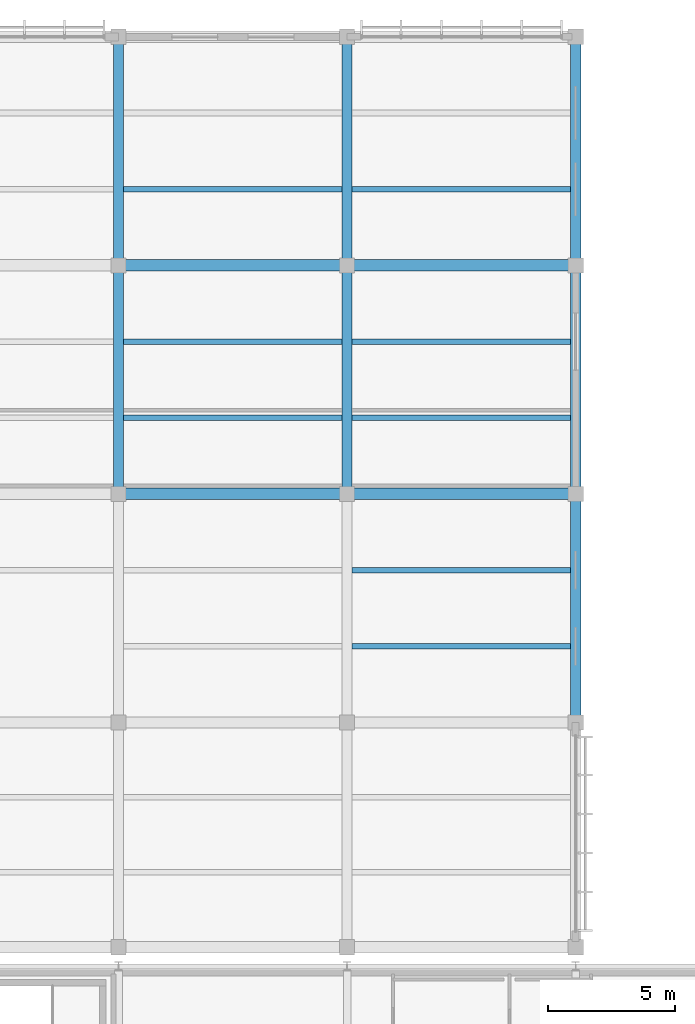
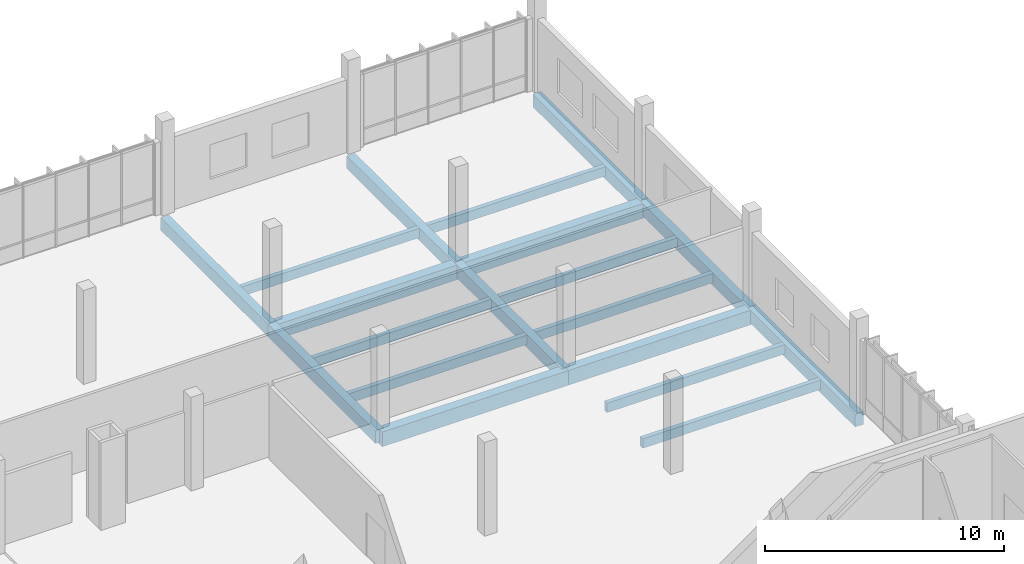
# One storey, part 116 of 177: 19 beams.
"""IFC4 building model written with IfcOpenShell, lengths in metres."""

import ifcopenshell
import ifcopenshell.guid

model = None  # the IFC model being written
_history = None  # IfcOwnerHistory: only IFC2X3 demands one
_inside = {}  # id of a spatial element -> (the spatial element, [elements in it])
_under = {}  # id of a project, library or spatial element -> (it, [spatial elements below it])
_declared = {}  # id of a project -> (the project, [libraries it declares])
_typed = {}  # id of a type object -> (the type object, [elements of that type])
_made_of = {}  # id of a material, layer set ... -> (it, [elements and type objects made of it])


def new_model(schema):
    """Start an empty IFC model of exactly this schema.

    Asked for "IFC4X3", IfcOpenShell would pick the latest addendum, in which some entities
    have other attributes; the version numbers below select the first issue.
    IFC2X3 requires an IfcOwnerHistory on every rooted entity: one is made here for all.
    """
    global model, _history
    if schema == "IFC4X3":
        model = ifcopenshell.file(schema_version=(4, 3, 0, 0))
    else:
        model = ifcopenshell.file(schema=schema)
    _inside.clear()
    _under.clear()
    _declared.clear()
    _typed.clear()
    _made_of.clear()
    _history = None
    if model.schema == "IFC2X3":
        org = make("IfcOrganization", Name="unknown")
        user = make(
            "IfcPersonAndOrganization",
            ThePerson=make("IfcPerson", FamilyName="unknown"),
            TheOrganization=org,
        )
        app = make(
            "IfcApplication",
            ApplicationDeveloper=org,
            Version="unknown",
            ApplicationFullName="unknown",
            ApplicationIdentifier="unknown",
        )
        _history = make(
            "IfcOwnerHistory",
            OwningUser=user,
            OwningApplication=app,
            ChangeAction="ADDED",
            CreationDate=0,
        )
    return model


def make(cls, **values):
    """One entity of the class cls with the attributes given. An attribute that is None is left unset."""
    return model.create_entity(
        cls, **{name: value for name, value in values.items() if value is not None}
    )


def rooted(cls, **values):
    """An entity with a GlobalId (a new one), such as an element, a storey or a relation."""
    return make(cls, GlobalId=ifcopenshell.guid.new(), OwnerHistory=_history, **values)


def si_unit(unit_type, name, prefix=None):
    """IfcSIUnit, for example si_unit("LENGTHUNIT", "METRE", prefix="MILLI")."""
    return make("IfcSIUnit", UnitType=unit_type, Prefix=prefix, Name=name)


def assignment(units):
    """IfcUnitAssignment: the units of a project."""
    return None if units is None else make("IfcUnitAssignment", Units=units)


def point(xyz):
    """IfcCartesianPoint."""
    return None if xyz is None else make("IfcCartesianPoint", Coordinates=xyz)


def direction(xyz):
    """IfcDirection."""
    return None if xyz is None else make("IfcDirection", DirectionRatios=xyz)


def frame(location, z_axis=None, x_axis=None):
    """IfcAxis2Placement3D, a coordinate frame: its origin and axes. An axis left out is left unset."""
    return make(
        "IfcAxis2Placement3D",
        Location=point(location),
        Axis=direction(z_axis),
        RefDirection=direction(x_axis),
    )


def frame_2d(location, x_axis=None):
    """IfcAxis2Placement2D, a coordinate frame in the plane: its origin and x axis."""
    return make(
        "IfcAxis2Placement2D", Location=point(location), RefDirection=direction(x_axis)
    )


def origin():
    """The frame at (0, 0, 0) with its axes left unset."""
    return frame((0.0, 0.0, 0.0))


def origin_2d():
    """The frame at (0, 0) in the plane with its x axis left unset."""
    return frame_2d((0.0, 0.0))


def place(relative_to, where):
    """IfcLocalPlacement: puts the frame where relative to a parent placement (None: the world)."""
    return make(
        "IfcLocalPlacement", PlacementRelTo=relative_to, RelativePlacement=where
    )


def context(
    kind, dimensions, precision=None, world=None, true_north=None, identifier=None
):
    """IfcGeometricRepresentationContext, for example the 3D "Model" context."""
    return make(
        "IfcGeometricRepresentationContext",
        ContextIdentifier=identifier,
        ContextType=kind,
        CoordinateSpaceDimension=dimensions,
        Precision=precision,
        WorldCoordinateSystem=world,
        TrueNorth=true_north,
    )


def subcontext(parent, identifier, kind, view, scale=None):
    """IfcGeometricRepresentationSubContext, for example "Body" below "Model"."""
    return make(
        "IfcGeometricRepresentationSubContext",
        ContextIdentifier=identifier,
        ContextType=kind,
        ParentContext=parent,
        TargetScale=scale,
        TargetView=view,
    )


def project(units=None, contexts=None):
    """IfcProject with its units and contexts."""
    return rooted(
        "IfcProject",
        Name="project",
        RepresentationContexts=contexts,
        UnitsInContext=assignment(units),
    )


def spatial(cls, under=None, at=None, **own):
    """A site, building, storey or space (cls), placed at a placement, below another one or the project."""
    s = rooted(cls, ObjectPlacement=at, **own)
    if under is not None:
        _under.setdefault(under.id(), (under, []))[1].append(s)
    return s


def profile(cls, at=None, kind="AREA", **sizes):
    """A parametric profile (cls). Its sizes go by their IFC names, for example OverallWidth=200.0."""
    return make(cls, ProfileType=kind, Position=at, **sizes)


def rectangle(**sizes):
    """IfcRectangleProfileDef."""
    return profile("IfcRectangleProfileDef", **sizes)


def extrude(swept, where, along, depth):
    """IfcExtrudedAreaSolid: the profile swept, set in the frame where, extruded along a direction by depth."""
    return make(
        "IfcExtrudedAreaSolid",
        SweptArea=swept,
        Position=where,
        ExtrudedDirection=direction(along),
        Depth=depth,
    )


def shape(context_of_items, identifier, shape_type, items):
    """IfcShapeRepresentation: the items that make up one representation, for example the "Body"."""
    return make(
        "IfcShapeRepresentation",
        ContextOfItems=context_of_items,
        RepresentationIdentifier=identifier,
        RepresentationType=shape_type,
        Items=items,
    )


def material(Name=None, Category=None):
    """IfcMaterial."""
    return make("IfcMaterial", Name=Name, Category=Category)


def material_profile(
    of_material, cross_section, Name=None, Category=None, Priority=None
):
    """IfcMaterialProfile: a cross section and its material."""
    return make(
        "IfcMaterialProfile",
        Name=Name,
        Material=of_material,
        Profile=cross_section,
        Priority=Priority,
        Category=Category,
    )


def profile_set(profiles, Name=None, composite=None):
    """IfcMaterialProfileSet."""
    return make(
        "IfcMaterialProfileSet",
        Name=Name,
        MaterialProfiles=profiles,
        CompositeProfile=composite,
    )


def made_of(thing, what):
    """Note that an element or type object is made of a material, layer set ...; save() writes the relation."""
    if what is not None:
        _made_of.setdefault(what.id(), (what, []))[1].append(thing)
    return thing


def type_object(cls, material=None, **own):
    """A type object (cls), such as IfcWallType, which elements share."""
    return made_of(rooted(cls, **own), material)


def element(
    cls,
    number,
    at=None,
    inside=None,
    cuts=None,
    type_object=None,
    material=None,
    context=None,
    identifier="Body",
    shape_type=None,
    held_by="IfcProductDefinitionShape",
    body=None,
    shapes=None,
    **own,
):
    """One element of the class cls, such as IfcWall. Its Tag is "e" and its number.

    at: its placement. inside: the storey or other place that contains it. cuts: it is an
    opening in that element (IfcRelVoidsElement). A single representation is given by context,
    identifier, shape_type and body (its items); several are given by shapes. held_by: the class
    of the entity that holds the representations. save() writes the other relations.
    """
    e = rooted(cls, Tag="e%d" % number, ObjectPlacement=at, **own)
    if body is not None:
        shapes = [shape(context, identifier, shape_type, body)]
    if shapes is not None:
        e.Representation = make(held_by, Representations=shapes)
    if inside is not None:
        _inside.setdefault(inside.id(), (inside, []))[1].append(e)
    if cuts is not None:
        rooted(
            "IfcRelVoidsElement", RelatingBuildingElement=cuts, RelatedOpeningElement=e
        )
    if type_object is not None:
        _typed.setdefault(type_object.id(), (type_object, []))[1].append(e)
    return made_of(e, material)


def aggregate(whole, parts):
    """IfcRelAggregates: a whole, such as a stair, and the parts it consists of."""
    return rooted("IfcRelAggregates", RelatingObject=whole, RelatedObjects=parts)


def save(model, path):
    """Write the relations noted so far, then the file.

    IfcRelAggregates (storeys below a building ...), IfcRelContainedInSpatialStructure (elements
    in a storey), IfcRelDefinesByType, IfcRelAssociatesMaterial and IfcRelDeclares: one each for
    every whole, place, type object, material and project.
    """
    for whole, parts in _under.values():
        aggregate(whole, parts)
    for where, things in _inside.values():
        rooted(
            "IfcRelContainedInSpatialStructure",
            RelatedElements=things,
            RelatingStructure=where,
        )
    for kind, things in _typed.values():
        rooted("IfcRelDefinesByType", RelatedObjects=things, RelatingType=kind)
    for what, things in _made_of.values():
        rooted("IfcRelAssociatesMaterial", RelatedObjects=things, RelatingMaterial=what)
    for by, libraries in _declared.values():
        rooted("IfcRelDeclares", RelatingContext=by, RelatedDefinitions=libraries)
    model.write(path)


model = new_model("IFC4")

# Units and contexts
model_context = context("Model", 3, precision=1e-05, world=origin(), true_north=direction((0.0, 1.0)))
body_context = subcontext(model_context, "Body", "Model", "MODEL_VIEW")
ifc_project = project(units=[si_unit("LENGTHUNIT", "METRE"), si_unit("AREAUNIT", "SQUARE_METRE"), si_unit("VOLUMEUNIT", "CUBIC_METRE"), si_unit("PLANEANGLEUNIT", "RADIAN"), si_unit("MASSUNIT", "GRAM", prefix="KILO")], contexts=[model_context])

# Site, building, storey
site_placement = place(None, origin())
site = spatial("IfcSite", under=ifc_project, at=site_placement, CompositionType="ELEMENT")
building_placement = place(site_placement, origin())
building = spatial("IfcBuilding", under=site, at=building_placement, Name="Chiffa Square Polytechnic", CompositionType="ELEMENT")
storey_placement = place(building_placement, frame((0.0, 0.0, 4.800048828125)))
storey = spatial("IfcBuildingStorey", under=building, at=storey_placement, Name="L01", CompositionType="ELEMENT", Elevation=4.800048828125)

# Beams
ifc_material_1 = material(Name="Concrete C35/45", Category="concrete")
ifc_material_profile_1 = material_profile(ifc_material_1, rectangle(XDim=0.39990234375, YDim=0.64990234375, at=origin_2d()), Name="RC 400x650")
ifc_profile_set_1 = profile_set([ifc_material_profile_1], Name="Concrete C35/45")
beam_type_1 = type_object("IfcBeamType", Name="BM-RC-400X650", PredefinedType="BEAM", material=ifc_profile_set_1)
for number, where, z_axis, x_axis, name in (
    (1, (130.199951171875, 112.800048828125, -0.60498046875), (0.0, 1.0, 0.0), (-1.0, 0.0, 0.0), "Primary floor girder BM-V5-L01-Y-1302-1128"),
    (2, (130.199951171875, 121.800048828125, -0.60498046875), (0.0, 1.0, 0.0), (-1.0, 0.0, 0.0), "Primary floor girder BM-V5-L01-Y-1302-1218"),
    (3, (139.199951171875, 112.800048828125, -0.60498046875), (0.0, 1.0, 0.0), (-1.0, 0.0, 0.0), "Primary floor girder BM-V5-L01-Y-1392-1128"),
    (4, (139.199951171875, 121.800048828125, -0.60498046875), (0.0, 1.0, 0.0), (-1.0, 0.0, 0.0), "Primary floor girder BM-V5-L01-Y-1392-1218"),
    (5, (148.199951171875, 103.800048828125, -0.60498046875), (0.0, 1.0, 0.0), (-1.0, 0.0, 0.0), "Primary floor girder BM-V5-L01-Y-1482-1038"),
    (6, (148.199951171875, 112.800048828125, -0.60498046875), (0.0, 1.0, 0.0), (-1.0, 0.0, 0.0), "Primary floor girder BM-V5-L01-Y-1482-1128"),
    (7, (148.199951171875, 121.800048828125, -0.60498046875), (0.0, 1.0, 0.0), (-1.0, 0.0, 0.0), "Primary floor girder BM-V5-L01-Y-1482-1218"),
):
    element("IfcBeam", number, at=place(storey_placement, frame(where, z_axis=z_axis, x_axis=x_axis)), inside=storey, type_object=beam_type_1, Name=name, PredefinedType="BEAM", context=body_context, shape_type="SweptSolid", body=[
        extrude(rectangle(XDim=0.39990234375, YDim=0.64990234375, at=origin_2d()), origin(), (0.0, 0.0, 1.0), 9.0),
    ])
ifc_material_profile_2 = material_profile(ifc_material_1, rectangle(XDim=0.449951171875, YDim=0.75, at=origin_2d()), Name="RC 450x750")
ifc_profile_set_2 = profile_set([ifc_material_profile_2], Name="Concrete C35/45")
beam_type_2 = type_object("IfcBeamType", Name="BM-RC-450X750", PredefinedType="BEAM", material=ifc_profile_set_2)
for number, where, z_axis, x_axis, name in (
    (8, (130.199951171875, 112.800048828125, -0.655029296875), (1.0, 0.0, 0.0), (0.0, 1.0, 0.0), "Primary floor girder BM-V5-L01-X-1302-1128"),
    (9, (139.199951171875, 112.800048828125, -0.655029296875), (1.0, 0.0, 0.0), (0.0, 1.0, 0.0), "Primary floor girder BM-V5-L01-X-1392-1128"),
    (10, (130.199951171875, 121.800048828125, -0.655029296875), (1.0, 0.0, 0.0), (0.0, 1.0, 0.0), "Primary floor girder BM-V5-L01-X-1302-1218"),
    (11, (139.199951171875, 121.800048828125, -0.655029296875), (1.0, 0.0, 0.0), (0.0, 1.0, 0.0), "Primary floor girder BM-V5-L01-X-1392-1218"),
):
    element("IfcBeam", number, at=place(storey_placement, frame(where, z_axis=z_axis, x_axis=x_axis)), inside=storey, type_object=beam_type_2, Name=name, PredefinedType="BEAM", context=body_context, shape_type="SweptSolid", body=[
        extrude(rectangle(XDim=0.449951171875, YDim=0.75, at=origin_2d()), origin(), (0.0, 0.0, 1.0), 9.0),
    ])
ifc_material_2 = material(Name="Glulam GL28h", Category="wood")
ifc_material_profile_3 = material_profile(ifc_material_2, rectangle(XDim=0.219970703125, YDim=0.47998046875, at=origin_2d()), Name="GL28h 220x480")
ifc_profile_set_3 = profile_set([ifc_material_profile_3], Name="Glulam GL28h")
beam_type_3 = type_object("IfcBeamType", Name="JST-GL-220X480", PredefinedType="JOIST", material=ifc_profile_set_3)
for number, where, z_axis, x_axis, name in (
    (12, (130.39794921875, 115.800048828125, -0.52001953125), (1.0, 0.0, 0.0), (0.0, 1.0, 0.0), "Secondary floor joist JST-V5-L01-1302-1158"),
    (13, (130.39794921875, 118.800048828125, -0.52001953125), (1.0, 0.0, 0.0), (0.0, 1.0, 0.0), "Secondary floor joist JST-V5-L01-1302-1188"),
    (14, (130.39794921875, 124.800048828125, -0.52001953125), (1.0, 0.0, 0.0), (0.0, 1.0, 0.0), "Secondary floor joist JST-V5-L01-1302-1248"),
    (15, (139.39794921875, 106.800048828125, -0.52001953125), (1.0, 0.0, 0.0), (0.0, 1.0, 0.0), "Secondary floor joist JST-V5-L01-1392-1068"),
    (16, (139.39794921875, 109.800048828125, -0.52001953125), (1.0, 0.0, 0.0), (0.0, 1.0, 0.0), "Secondary floor joist JST-V5-L01-1392-1098"),
    (17, (139.39794921875, 115.800048828125, -0.52001953125), (1.0, 0.0, 0.0), (0.0, 1.0, 0.0), "Secondary floor joist JST-V5-L01-1392-1158"),
    (18, (139.39794921875, 118.800048828125, -0.52001953125), (1.0, 0.0, 0.0), (0.0, 1.0, 0.0), "Secondary floor joist JST-V5-L01-1392-1188"),
    (19, (139.39794921875, 124.800048828125, -0.52001953125), (1.0, 0.0, 0.0), (0.0, 1.0, 0.0), "Secondary floor joist JST-V5-L01-1392-1248"),
):
    element("IfcBeam", number, at=place(storey_placement, frame(where, z_axis=z_axis, x_axis=x_axis)), inside=storey, type_object=beam_type_3, Name=name, PredefinedType="JOIST", context=body_context, shape_type="SweptSolid", body=[
        extrude(rectangle(XDim=0.219970703125, YDim=0.47998046875, at=origin_2d()), origin(), (0.0, 0.0, 1.0), 8.60400390625),
    ])

save(model, "model.ifc")
